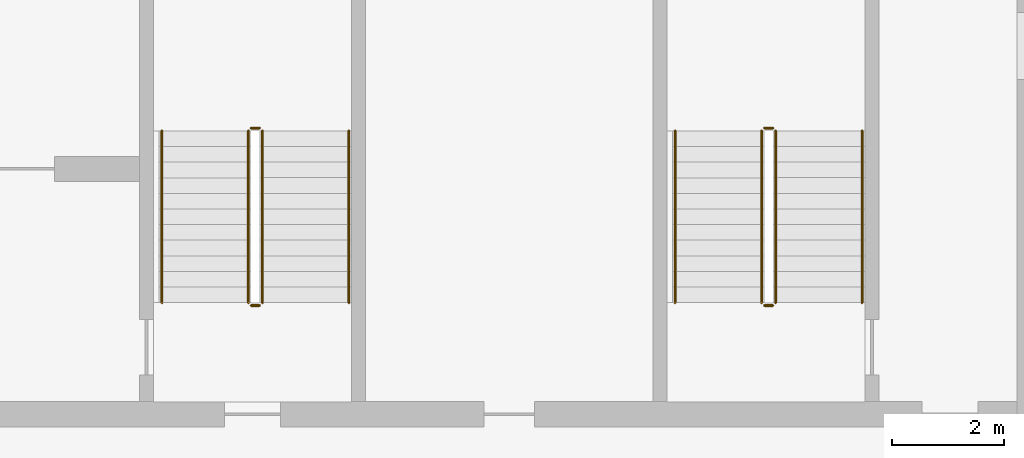
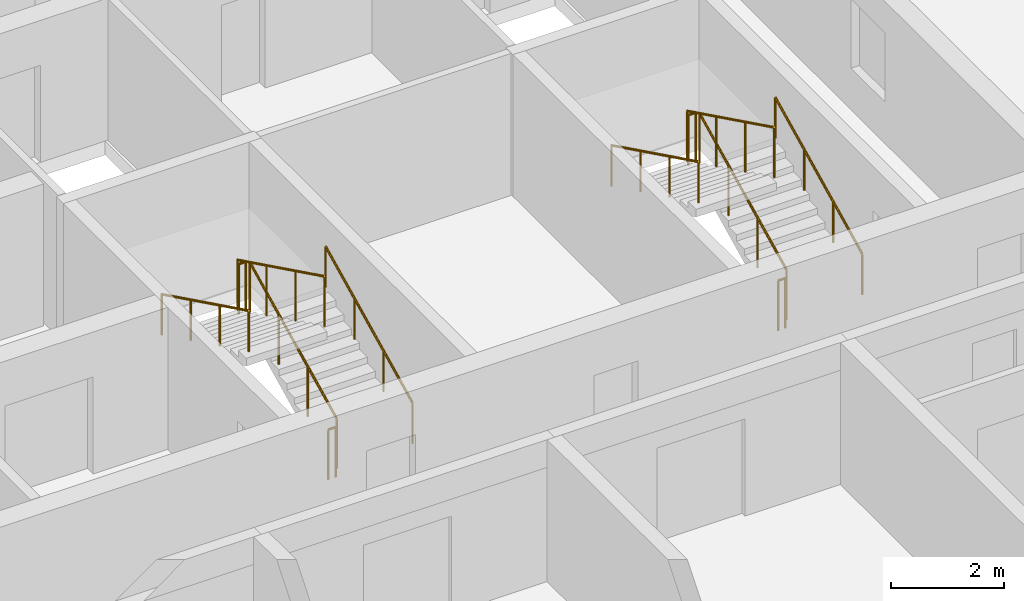
# One storey, part 13 of 14: 12 railings.
"""IFC4 building model written with IfcOpenShell, lengths in metres."""

from ifc_helpers import new_model, si_unit, direction, frame, origin, origin_2d, place, context, subcontext, project, spatial, circle, extrude, material, type_object, element, save


model = new_model("IFC4")

# Units and contexts
model_context = context("Model", 3, precision=1e-05, world=origin(), true_north=direction((0.0, 1.0)))
body_context = subcontext(model_context, "Body", "Model", "MODEL_VIEW")
ifc_project = project(units=[si_unit("LENGTHUNIT", "METRE"), si_unit("AREAUNIT", "SQUARE_METRE"), si_unit("VOLUMEUNIT", "CUBIC_METRE"), si_unit("PLANEANGLEUNIT", "RADIAN"), si_unit("MASSUNIT", "GRAM", prefix="KILO")], contexts=[model_context])

# Site, building, storey
site_placement = place(None, origin())
site = spatial("IfcSite", under=ifc_project, at=site_placement, CompositionType="ELEMENT")
building_placement = place(site_placement, origin())
building = spatial("IfcBuilding", under=site, at=building_placement, Name="Poui Terraces", CompositionType="ELEMENT")
storey_placement = place(building_placement, frame((0.0, 0.0, 158.699951171875)))
storey = spatial("IfcBuildingStorey", under=building, at=storey_placement, Name="L44", CompositionType="ELEMENT", Elevation=158.699951171875)

# Railings
ifc_material_1 = material(Name="Galvanised steel balustrade", Category="steel")
railing_type_1 = type_object("IfcRailingType", Name="STAIR GUARD 1100", PredefinedType="GUARDRAIL", material=ifc_material_1)
railing_1_placement = place(storey_placement, frame((70.27490234375, 16.60009765625, 0.137451171875)))
element("IfcRailing", 1, at=railing_1_placement, inside=storey, type_object=railing_type_1, Name="L44 ST-CE stair guard 1", PredefinedType="GUARDRAIL", context=body_context, shape_type="SweptSolid", body=[
    extrude(circle(Radius=0.02392578125, at=origin_2d()), frame((0.0, 0.0, 1.076171875), z_axis=(0.0, 0.897578036475, 0.440855609512), x_axis=(-1.0, 0.0, 0.0)), (0.0, 0.0, 1.0), 3.43115234375),
    extrude(circle(Radius=0.02099609375, at=origin_2d()), origin(), (0.0, 0.0, 1.0), 1.052001953125),
    extrude(circle(Radius=0.02099609375, at=origin_2d()), frame((0.0, 1.026611328125, 0.504150390625)), (0.0, 0.0, 1.0), 1.052001953125),
    extrude(circle(Radius=0.02099609375, at=origin_2d()), frame((0.0, 2.05322265625, 1.008544921875)), (0.0, 0.0, 1.0), 1.052001953125),
    extrude(circle(Radius=0.02099609375, at=origin_2d()), frame((0.0, 3.079833984375, 1.5126953125)), (0.0, 0.0, 1.0), 1.052001953125),
])
railing_2_placement = place(storey_placement, frame((70.22509765625, 19.72998046875, 1.650146484375)))
element("IfcRailing", 2, at=railing_2_placement, inside=storey, type_object=railing_type_1, Name="L44 ST-CE stair guard 2", PredefinedType="GUARDRAIL", context=body_context, shape_type="SweptSolid", body=[
    extrude(circle(Radius=0.02392578125, at=origin_2d()), frame((0.0, 0.0, 1.076171875), z_axis=(-1.0, 0.0, 0.0), x_axis=(0.0, -1.0, 0.0)), (0.0, 0.0, 1.0), 0.150146484375),
    extrude(circle(Radius=0.02099609375, at=origin_2d()), origin(), (0.0, 0.0, 1.0), 1.052001953125),
    extrude(circle(Radius=0.02099609375, at=origin_2d()), frame((-0.150146484375, 0.0, 0.0)), (0.0, 0.0, 1.0), 1.052001953125),
])
railing_3_placement = place(storey_placement, frame((70.02490234375, 19.679931640625, 1.78759765625)))
element("IfcRailing", 3, at=railing_3_placement, inside=storey, type_object=railing_type_1, Name="L44 ST-CE stair guard 3", PredefinedType="GUARDRAIL", context=body_context, shape_type="SweptSolid", body=[
    extrude(circle(Radius=0.02392578125, at=origin_2d()), frame((0.0, 0.0, 1.076171875), z_axis=(0.0, -0.897606190399, 0.440798283751), x_axis=(1.0, 0.0, 0.0)), (0.0, 0.0, 1.0), 3.43115234375),
    extrude(circle(Radius=0.02099609375, at=origin_2d()), origin(), (0.0, 0.0, 1.0), 1.052001953125),
    extrude(circle(Radius=0.02099609375, at=origin_2d()), frame((0.0, -1.026611328125, 0.504150390625)), (0.0, 0.0, 1.0), 1.052001953125),
    extrude(circle(Radius=0.02099609375, at=origin_2d()), frame((0.0, -2.05322265625, 1.00830078125)), (0.0, 0.0, 1.0), 1.052001953125),
    extrude(circle(Radius=0.02099609375, at=origin_2d()), frame((0.0, -3.079833984375, 1.512451171875)), (0.0, 0.0, 1.0), 1.052001953125),
])
railing_4_placement = place(storey_placement, frame((70.22509765625, 16.550048828125, 0.0)))
element("IfcRailing", 4, at=railing_4_placement, inside=storey, type_object=railing_type_1, Name="L44 ST-CE stair guard 4", PredefinedType="GUARDRAIL", context=body_context, shape_type="SweptSolid", body=[
    extrude(circle(Radius=0.02392578125, at=origin_2d()), frame((0.0, 0.0, 1.076171875), z_axis=(-1.0, 0.0, 0.0), x_axis=(0.0, -1.0, 0.0)), (0.0, 0.0, 1.0), 0.150146484375),
    extrude(circle(Radius=0.02099609375, at=origin_2d()), origin(), (0.0, 0.0, 1.0), 1.052001953125),
    extrude(circle(Radius=0.02099609375, at=origin_2d()), frame((-0.150146484375, 0.0, 0.0)), (0.0, 0.0, 1.0), 1.052001953125),
])
railing_5_placement = place(storey_placement, frame((79.47509765625, 16.60009765625, 0.137451171875)))
element("IfcRailing", 5, at=railing_5_placement, inside=storey, type_object=railing_type_1, Name="L44 ST-E stair guard 1", PredefinedType="GUARDRAIL", context=body_context, shape_type="SweptSolid", body=[
    extrude(circle(Radius=0.02392578125, at=origin_2d()), frame((0.0, 0.0, 1.076171875), z_axis=(0.0, 0.897578036475, 0.440855609512), x_axis=(-1.0, 0.0, 0.0)), (0.0, 0.0, 1.0), 3.43115234375),
    extrude(circle(Radius=0.02099609375, at=origin_2d()), origin(), (0.0, 0.0, 1.0), 1.052001953125),
    extrude(circle(Radius=0.02099609375, at=origin_2d()), frame((0.0, 1.026611328125, 0.504150390625)), (0.0, 0.0, 1.0), 1.052001953125),
    extrude(circle(Radius=0.02099609375, at=origin_2d()), frame((0.0, 2.05322265625, 1.008544921875)), (0.0, 0.0, 1.0), 1.052001953125),
    extrude(circle(Radius=0.02099609375, at=origin_2d()), frame((0.0, 3.079833984375, 1.5126953125)), (0.0, 0.0, 1.0), 1.052001953125),
])
railing_6_placement = place(storey_placement, frame((79.425048828125, 19.72998046875, 1.650146484375)))
element("IfcRailing", 6, at=railing_6_placement, inside=storey, type_object=railing_type_1, Name="L44 ST-E stair guard 2", PredefinedType="GUARDRAIL", context=body_context, shape_type="SweptSolid", body=[
    extrude(circle(Radius=0.02392578125, at=origin_2d()), frame((0.0, 0.0, 1.076171875), z_axis=(-1.0, 0.0, 0.0), x_axis=(0.0, -1.0, 0.0)), (0.0, 0.0, 1.0), 0.150146484375),
    extrude(circle(Radius=0.02099609375, at=origin_2d()), origin(), (0.0, 0.0, 1.0), 1.052001953125),
    extrude(circle(Radius=0.02099609375, at=origin_2d()), frame((-0.150146484375, 0.0, 0.0)), (0.0, 0.0, 1.0), 1.052001953125),
])
railing_7_placement = place(storey_placement, frame((79.22509765625, 19.679931640625, 1.78759765625)))
element("IfcRailing", 7, at=railing_7_placement, inside=storey, type_object=railing_type_1, Name="L44 ST-E stair guard 3", PredefinedType="GUARDRAIL", context=body_context, shape_type="SweptSolid", body=[
    extrude(circle(Radius=0.02392578125, at=origin_2d()), frame((0.0, 0.0, 1.076171875), z_axis=(0.0, -0.897606190399, 0.440798283751), x_axis=(1.0, 0.0, 0.0)), (0.0, 0.0, 1.0), 3.43115234375),
    extrude(circle(Radius=0.02099609375, at=origin_2d()), origin(), (0.0, 0.0, 1.0), 1.052001953125),
    extrude(circle(Radius=0.02099609375, at=origin_2d()), frame((0.0, -1.026611328125, 0.504150390625)), (0.0, 0.0, 1.0), 1.052001953125),
    extrude(circle(Radius=0.02099609375, at=origin_2d()), frame((0.0, -2.05322265625, 1.00830078125)), (0.0, 0.0, 1.0), 1.052001953125),
    extrude(circle(Radius=0.02099609375, at=origin_2d()), frame((0.0, -3.079833984375, 1.512451171875)), (0.0, 0.0, 1.0), 1.052001953125),
])
railing_8_placement = place(storey_placement, frame((79.425048828125, 16.550048828125, 0.0)))
element("IfcRailing", 8, at=railing_8_placement, inside=storey, type_object=railing_type_1, Name="L44 ST-E stair guard 4", PredefinedType="GUARDRAIL", context=body_context, shape_type="SweptSolid", body=[
    extrude(circle(Radius=0.02392578125, at=origin_2d()), frame((0.0, 0.0, 1.076171875), z_axis=(-1.0, 0.0, 0.0), x_axis=(0.0, -1.0, 0.0)), (0.0, 0.0, 1.0), 0.150146484375),
    extrude(circle(Radius=0.02099609375, at=origin_2d()), origin(), (0.0, 0.0, 1.0), 1.052001953125),
    extrude(circle(Radius=0.02099609375, at=origin_2d()), frame((-0.150146484375, 0.0, 0.0)), (0.0, 0.0, 1.0), 1.052001953125),
])
ifc_material_2 = material(Name="Stainless steel handrail", Category="steel")
railing_type_2 = type_object("IfcRailingType", Name="STAIR HANDRAIL 900", PredefinedType="HANDRAIL", material=ifc_material_2)
railing_9_placement = place(storey_placement, frame((71.824951171875, 16.60009765625, 0.137451171875)))
element("IfcRailing", 9, at=railing_9_placement, inside=storey, type_object=railing_type_2, Name="L44 ST-CE stair handrail 1", PredefinedType="HANDRAIL", context=body_context, shape_type="SweptSolid", body=[
    extrude(circle(Radius=0.02392578125, at=origin_2d()), frame((0.0, 0.0, 0.8759765625), z_axis=(0.0, 0.897578036475, 0.440855609512), x_axis=(-1.0, 0.0, 0.0)), (0.0, 0.0, 1.0), 3.43115234375),
    extrude(circle(Radius=0.02099609375, at=origin_2d()), origin(), (0.0, 0.0, 1.0), 0.851806640625),
    extrude(circle(Radius=0.02099609375, at=origin_2d()), frame((0.0, 1.026611328125, 0.504150390625)), (0.0, 0.0, 1.0), 0.851806640625),
    extrude(circle(Radius=0.02099609375, at=origin_2d()), frame((0.0, 2.05322265625, 1.008544921875)), (0.0, 0.0, 1.0), 0.851806640625),
    extrude(circle(Radius=0.02099609375, at=origin_2d()), frame((0.0, 3.079833984375, 1.5126953125)), (0.0, 0.0, 1.0), 0.851806640625),
])
railing_10_placement = place(storey_placement, frame((68.47509765625, 19.679931640625, 1.78759765625)))
element("IfcRailing", 10, at=railing_10_placement, inside=storey, type_object=railing_type_2, Name="L44 ST-CE stair handrail 2", PredefinedType="HANDRAIL", context=body_context, shape_type="SweptSolid", body=[
    extrude(circle(Radius=0.02392578125, at=origin_2d()), frame((0.0, 0.0, 0.8759765625), z_axis=(0.0, -0.897606190399, 0.440798283751), x_axis=(1.0, 0.0, 0.0)), (0.0, 0.0, 1.0), 3.43115234375),
    extrude(circle(Radius=0.02099609375, at=origin_2d()), origin(), (0.0, 0.0, 1.0), 0.851806640625),
    extrude(circle(Radius=0.02099609375, at=origin_2d()), frame((0.0, -1.026611328125, 0.504150390625)), (0.0, 0.0, 1.0), 0.851806640625),
    extrude(circle(Radius=0.02099609375, at=origin_2d()), frame((0.0, -2.05322265625, 1.00830078125)), (0.0, 0.0, 1.0), 0.851806640625),
    extrude(circle(Radius=0.02099609375, at=origin_2d()), frame((0.0, -3.079833984375, 1.512451171875)), (0.0, 0.0, 1.0), 0.851806640625),
])
railing_11_placement = place(storey_placement, frame((81.02490234375, 16.60009765625, 0.137451171875)))
element("IfcRailing", 11, at=railing_11_placement, inside=storey, type_object=railing_type_2, Name="L44 ST-E stair handrail 1", PredefinedType="HANDRAIL", context=body_context, shape_type="SweptSolid", body=[
    extrude(circle(Radius=0.02392578125, at=origin_2d()), frame((0.0, 0.0, 0.8759765625), z_axis=(0.0, 0.897578036475, 0.440855609512), x_axis=(-1.0, 0.0, 0.0)), (0.0, 0.0, 1.0), 3.43115234375),
    extrude(circle(Radius=0.02099609375, at=origin_2d()), origin(), (0.0, 0.0, 1.0), 0.851806640625),
    extrude(circle(Radius=0.02099609375, at=origin_2d()), frame((0.0, 1.026611328125, 0.504150390625)), (0.0, 0.0, 1.0), 0.851806640625),
    extrude(circle(Radius=0.02099609375, at=origin_2d()), frame((0.0, 2.05322265625, 1.008544921875)), (0.0, 0.0, 1.0), 0.851806640625),
    extrude(circle(Radius=0.02099609375, at=origin_2d()), frame((0.0, 3.079833984375, 1.5126953125)), (0.0, 0.0, 1.0), 0.851806640625),
])
railing_12_placement = place(storey_placement, frame((77.675048828125, 19.679931640625, 1.78759765625)))
element("IfcRailing", 12, at=railing_12_placement, inside=storey, type_object=railing_type_2, Name="L44 ST-E stair handrail 2", PredefinedType="HANDRAIL", context=body_context, shape_type="SweptSolid", body=[
    extrude(circle(Radius=0.02392578125, at=origin_2d()), frame((0.0, 0.0, 0.8759765625), z_axis=(0.0, -0.897606190399, 0.440798283751), x_axis=(1.0, 0.0, 0.0)), (0.0, 0.0, 1.0), 3.43115234375),
    extrude(circle(Radius=0.02099609375, at=origin_2d()), origin(), (0.0, 0.0, 1.0), 0.851806640625),
    extrude(circle(Radius=0.02099609375, at=origin_2d()), frame((0.0, -1.026611328125, 0.504150390625)), (0.0, 0.0, 1.0), 0.851806640625),
    extrude(circle(Radius=0.02099609375, at=origin_2d()), frame((0.0, -2.05322265625, 1.00830078125)), (0.0, 0.0, 1.0), 0.851806640625),
    extrude(circle(Radius=0.02099609375, at=origin_2d()), frame((0.0, -3.079833984375, 1.512451171875)), (0.0, 0.0, 1.0), 0.851806640625),
])

save(model, "model.ifc")
